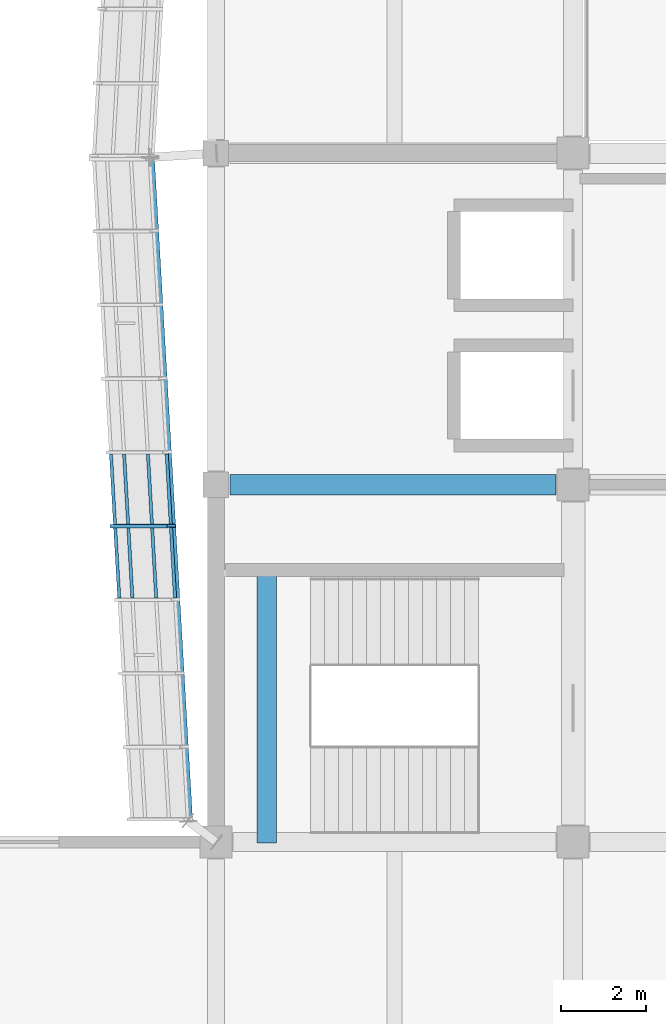
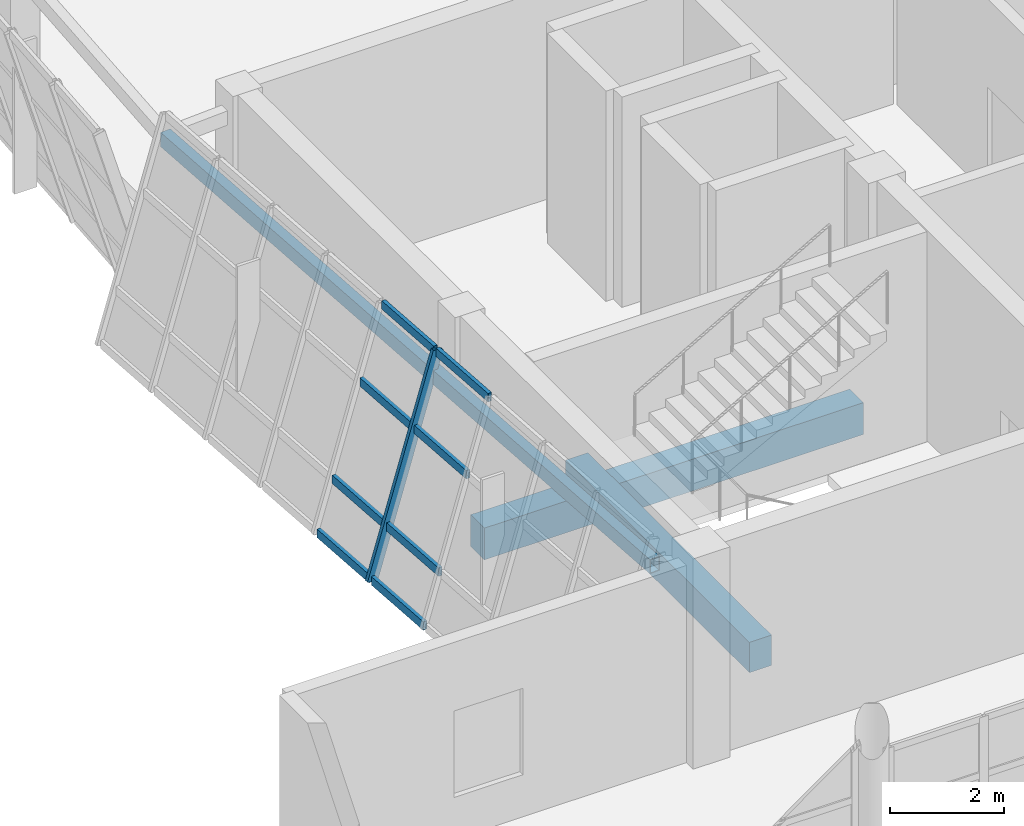
# One storey, part 4 of 71: 9 members, 3 beams, 1 element without a shape of its own.
"""IFC4 building model written with IfcOpenShell, lengths in metres."""

from ifc_helpers import new_model, si_unit, direction, frame, origin, origin_2d, place, context, subcontext, project, spatial, rectangle, hollow_rectangle, extrude, material, material_profile, profile_set, type_object, element, aggregate, save


model = new_model("IFC4")

# Units and contexts
model_context = context("Model", 3, precision=1e-05, world=origin(), true_north=direction((0.0, 1.0)))
body_context = subcontext(model_context, "Body", "Model", "MODEL_VIEW")
ifc_project = project(units=[si_unit("LENGTHUNIT", "METRE"), si_unit("AREAUNIT", "SQUARE_METRE"), si_unit("VOLUMEUNIT", "CUBIC_METRE"), si_unit("PLANEANGLEUNIT", "RADIAN"), si_unit("MASSUNIT", "GRAM", prefix="KILO")], contexts=[model_context])

# Site, building, storey
site_placement = place(None, origin())
site = spatial("IfcSite", under=ifc_project, at=site_placement, CompositionType="ELEMENT")
building_placement = place(site_placement, origin())
building = spatial("IfcBuilding", under=site, at=building_placement, Name="Pellamere Symphony Hall", CompositionType="ELEMENT")
storey_placement = place(building_placement, frame((0.0, 0.0, 15.0)))
storey = spatial("IfcBuildingStorey", under=building, at=storey_placement, Name="L03", CompositionType="ELEMENT", Elevation=15.0)

# Curtain wall, members
ifc_material_1 = material(Name="Thermally Broken Anodised Aluminium 6063-T6 Curtain Wall", Category="aluminium")
curtain_wall_type = type_object("IfcCurtainWallType", Name="Curtain Wall CW-01 (Tilted Faceted Crystal Low-Iron Curtain Wall)", PredefinedType="NOTDEFINED", material=ifc_material_1)
curtain_wall_placement = place(storey_placement, origin())
curtain_wall = element("IfcCurtainWall", 1, at=curtain_wall_placement, inside=storey, type_object=curtain_wall_type, Name="Crystal Faceted Curtain Wall CW-CR18 (L03)", PredefinedType="NOTDEFINED")
ifc_material_2 = material(Name="Anodised Architectural Aluminium 6063-T6", Category="aluminium")
ifc_material_profile_1 = material_profile(ifc_material_2, hollow_rectangle(XDim=0.074951171875, YDim=0.219970703125, WallThickness=0.0048828125, at=origin_2d()), Name="ALU-M75X220X5")
ifc_profile_set_1 = profile_set([ifc_material_profile_1], Name="Anodised Architectural Aluminium 6063-T6")
member_type_1 = type_object("IfcMemberType", Name="Curtain Wall Mullion ML-01 ALU-M75X220X5", PredefinedType="MULLION", material=ifc_profile_set_1)
member_1_placement = place(storey_placement, frame((48.01708984375, 37.433349609375, 0.0), z_axis=(0.284024567884, 0.0, 0.95881700279), x_axis=(-0.055224537145, 0.998339941676, 0.01635883099)))
member_1 = element("IfcMember", 2, at=member_1_placement, type_object=member_type_1, Name="CW1-055 crystal mullion 6", PredefinedType="MULLION", context=body_context, shape_type="SweptSolid", body=[
    extrude(hollow_rectangle(XDim=0.074951171875, YDim=0.219970703125, WallThickness=0.0048828125, at=origin_2d()), origin(), (0.0, 0.0, 1.0), 4.693359375),
])
ifc_material_profile_2 = material_profile(ifc_material_2, hollow_rectangle(XDim=0.074951171875, YDim=0.179931640625, WallThickness=0.0048828125, at=origin_2d()), Name="ALU-T75X180X5")
ifc_profile_set_2 = profile_set([ifc_material_profile_2], Name="Anodised Architectural Aluminium 6063-T6")
member_type_2 = type_object("IfcMemberType", Name="Curtain Wall Transom TR-01 ALU-T75X180X5", PredefinedType="USERDEFINED", material=ifc_profile_set_2)
member_2_placement = place(storey_placement, frame((47.929931640625, 39.129150390625, 0.035888671875), z_axis=(0.057464139598, -0.998347571069, 0.0), x_axis=(0.998347571069, 0.057464139598, 0.0)))
member_2 = element("IfcMember", 3, at=member_2_placement, type_object=member_type_2, Name="CW1-055 crystal transom 5.1", ObjectType="TRANSOM", PredefinedType="USERDEFINED", context=body_context, shape_type="SweptSolid", body=[
    extrude(hollow_rectangle(XDim=0.074951171875, YDim=0.179931640625, WallThickness=0.0048828125, at=origin_2d()), origin(), (0.0, 0.0, 1.0), 1.6611328125),
])
member_3_placement = place(storey_placement, frame((48.239013671875, 39.129150390625, 1.080078125), z_axis=(0.057610619545, -0.998339129012, 0.0), x_axis=(0.998339129012, 0.057610619545, 0.0)))
member_3 = element("IfcMember", 4, at=member_3_placement, type_object=member_type_2, Name="CW1-055 crystal transom 5.2", ObjectType="TRANSOM", PredefinedType="USERDEFINED", context=body_context, shape_type="SweptSolid", body=[
    extrude(hollow_rectangle(XDim=0.074951171875, YDim=0.179931640625, WallThickness=0.0048828125, at=origin_2d()), origin(), (0.0, 0.0, 1.0), 1.6611328125),
])
member_4_placement = place(storey_placement, frame((48.798828125, 39.129150390625, 2.969970703125), z_axis=(0.057610619545, -0.998339129012, 0.0), x_axis=(0.998339129012, 0.057610619545, 0.0)))
member_4 = element("IfcMember", 5, at=member_4_placement, type_object=member_type_2, Name="CW1-055 crystal transom 5.3", ObjectType="TRANSOM", PredefinedType="USERDEFINED", context=body_context, shape_type="SweptSolid", body=[
    extrude(hollow_rectangle(XDim=0.074951171875, YDim=0.179931640625, WallThickness=0.0048828125, at=origin_2d()), origin(), (0.0, 0.0, 1.0), 1.6611328125),
])
member_5_placement = place(storey_placement, frame((49.241455078125, 39.129150390625, 4.464111328125), z_axis=(0.057610619545, -0.998339129012, 0.0), x_axis=(0.998339129012, 0.057610619545, 0.0)))
member_5 = element("IfcMember", 6, at=member_5_placement, type_object=member_type_2, Name="CW1-055 crystal transom 5.4", ObjectType="TRANSOM", PredefinedType="USERDEFINED", context=body_context, shape_type="SweptSolid", body=[
    extrude(hollow_rectangle(XDim=0.074951171875, YDim=0.179931640625, WallThickness=0.0048828125, at=origin_2d()), origin(), (0.0, 0.0, 1.0), 1.6611328125),
])
member_6_placement = place(storey_placement, frame((48.02978515625, 37.39599609375, 0.035888671875), z_axis=(0.057610619545, -0.998339129012, 0.0), x_axis=(0.998339129012, 0.057610619545, 0.0)))
member_6 = element("IfcMember", 7, at=member_6_placement, type_object=member_type_2, Name="CW1-055 crystal transom 6.1", ObjectType="TRANSOM", PredefinedType="USERDEFINED", context=body_context, shape_type="SweptSolid", body=[
    extrude(hollow_rectangle(XDim=0.074951171875, YDim=0.179931640625, WallThickness=0.0048828125, at=origin_2d()), origin(), (0.0, 0.0, 1.0), 1.6611328125),
])
member_7_placement = place(storey_placement, frame((48.339111328125, 37.39599609375, 1.080078125), z_axis=(0.057610619545, -0.998339129012, 0.0), x_axis=(0.998339129012, 0.057610619545, 0.0)))
member_7 = element("IfcMember", 8, at=member_7_placement, type_object=member_type_2, Name="CW1-055 crystal transom 6.2", ObjectType="TRANSOM", PredefinedType="USERDEFINED", context=body_context, shape_type="SweptSolid", body=[
    extrude(hollow_rectangle(XDim=0.074951171875, YDim=0.179931640625, WallThickness=0.0048828125, at=origin_2d()), origin(), (0.0, 0.0, 1.0), 1.6611328125),
])
member_8_placement = place(storey_placement, frame((48.89892578125, 37.39599609375, 2.969970703125), z_axis=(0.057610619545, -0.998339129012, 0.0), x_axis=(0.998339129012, 0.057610619545, 0.0)))
member_8 = element("IfcMember", 9, at=member_8_placement, type_object=member_type_2, Name="CW1-055 crystal transom 6.3", ObjectType="TRANSOM", PredefinedType="USERDEFINED", context=body_context, shape_type="SweptSolid", body=[
    extrude(hollow_rectangle(XDim=0.074951171875, YDim=0.179931640625, WallThickness=0.0048828125, at=origin_2d()), origin(), (0.0, 0.0, 1.0), 1.6611328125),
])
member_9_placement = place(storey_placement, frame((49.341552734375, 37.39599609375, 4.464111328125), z_axis=(0.057610619545, -0.998339129012, 0.0), x_axis=(0.998339129012, 0.057610619545, 0.0)))
member_9 = element("IfcMember", 10, at=member_9_placement, type_object=member_type_2, Name="CW1-055 crystal transom 6.4", ObjectType="TRANSOM", PredefinedType="USERDEFINED", context=body_context, shape_type="SweptSolid", body=[
    extrude(hollow_rectangle(XDim=0.074951171875, YDim=0.179931640625, WallThickness=0.0048828125, at=origin_2d()), origin(), (0.0, 0.0, 1.0), 1.6611328125),
])
aggregate(curtain_wall, [member_1, member_2, member_3, member_4, member_5, member_6, member_7, member_8, member_9])

# Beams
ifc_material_3 = material(Name="Concrete 40 MPa", Category="concrete")
ifc_material_profile_3 = material_profile(ifc_material_3, rectangle(XDim=0.449951171875, YDim=0.64990234375, at=origin_2d()), Name="RC 450x650")
ifc_profile_set_3 = profile_set([ifc_material_profile_3], Name="Concrete 40 MPa")
beam_type_1 = type_object("IfcBeamType", Name="RC CB-08 450x650", PredefinedType="BEAM", material=ifc_profile_set_3)
beam_1_placement = place(storey_placement, frame((51.592529296875, 29.97998046875, 1.705078125), z_axis=(0.0, 1.0, 0.0), x_axis=(-1.0, 0.0, 0.0)))
element("IfcBeam", 11, at=beam_1_placement, inside=storey, type_object=beam_type_1, Name="Stair ST01-L03 Half Landing Support Beam (L03)", PredefinedType="BEAM", context=body_context, shape_type="SweptSolid", body=[
    extrude(rectangle(XDim=0.449951171875, YDim=0.64990234375, at=origin_2d()), origin(), (0.0, 0.0, 1.0), 6.43994140625),
])
ifc_material_profile_4 = material_profile(ifc_material_3, rectangle(XDim=0.47998046875, YDim=0.679931640625, at=origin_2d()), Name="RC 480x680")
ifc_profile_set_4 = profile_set([ifc_material_profile_4], Name="Concrete 40 MPa")
beam_type_2 = type_object("IfcBeamType", Name="RC CB-19 480x680", PredefinedType="BEAM", material=ifc_profile_set_4)
beam_2_placement = place(storey_placement, frame((50.72509765625, 38.39990234375, -0.60009765625), z_axis=(1.0, 0.0, 0.0), x_axis=(0.0, 1.0, 0.0)))
element("IfcBeam", 12, at=beam_2_placement, inside=storey, type_object=beam_type_2, Name="Girder CB-19-X1521 (L03)", PredefinedType="BEAM", context=body_context, shape_type="SweptSolid", body=[
    extrude(rectangle(XDim=0.47998046875, YDim=0.679931640625, at=origin_2d()), origin(), (0.0, 0.0, 1.0), 7.6748046875),
])
ifc_material_4 = material(Name="Steel CSA G40.21 350W", Category="steel")
ifc_material_profile_5 = material_profile(ifc_material_4, hollow_rectangle(XDim=0.203125, YDim=0.3046875, WallThickness=0.0126953125, at=origin_2d()), Name="HSS305X203X13")
ifc_profile_set_5 = profile_set([ifc_material_profile_5], Name="Steel CSA G40.21 350W")
beam_type_3 = type_object("IfcBeamType", Name="Steel Spandrel SB-26 HSS305X203X13", PredefinedType="SPANDREL", material=ifc_profile_set_5)
beam_3_placement = place(storey_placement, frame((48.85009765625, 46.10009765625, 3.93994140625), z_axis=(0.057589946883, -0.998340321743, 0.0), x_axis=(0.998340321743, 0.057589946883, 0.0)))
element("IfcBeam", 13, at=beam_3_placement, inside=storey, type_object=beam_type_3, Name="Crystal Perimeter Ring Beam CW-CR18 (L03)", PredefinedType="SPANDREL", context=body_context, shape_type="SweptSolid", body=[
    extrude(hollow_rectangle(XDim=0.203125, YDim=0.3046875, WallThickness=0.0126953125, at=origin_2d()), origin(), (0.0, 0.0, 1.0), 15.6259765625),
])

save(model, "model.ifc")
